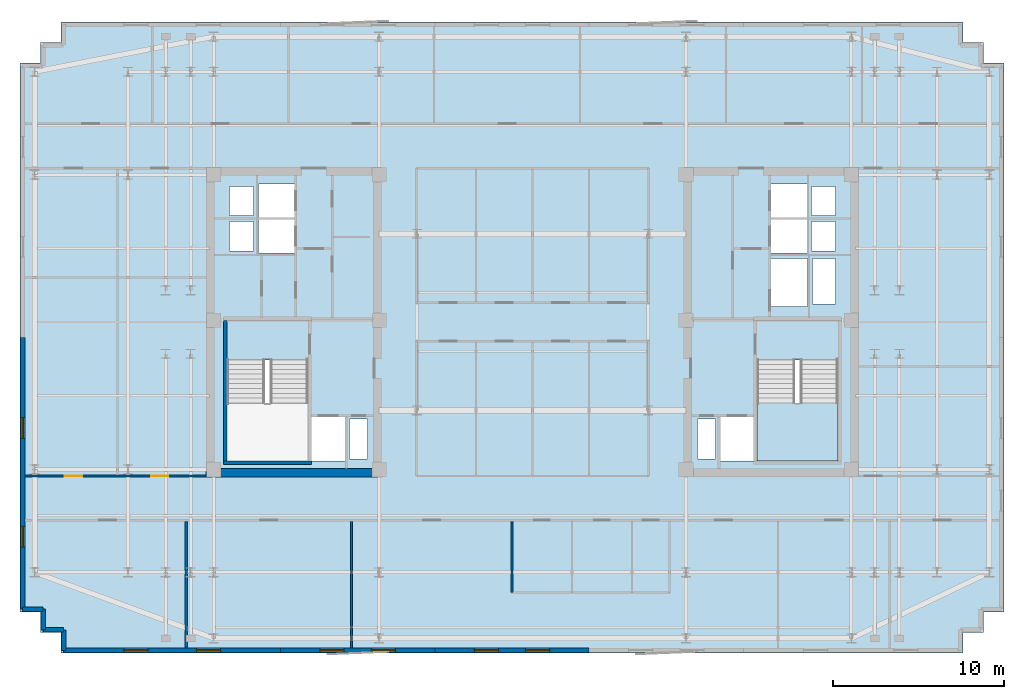
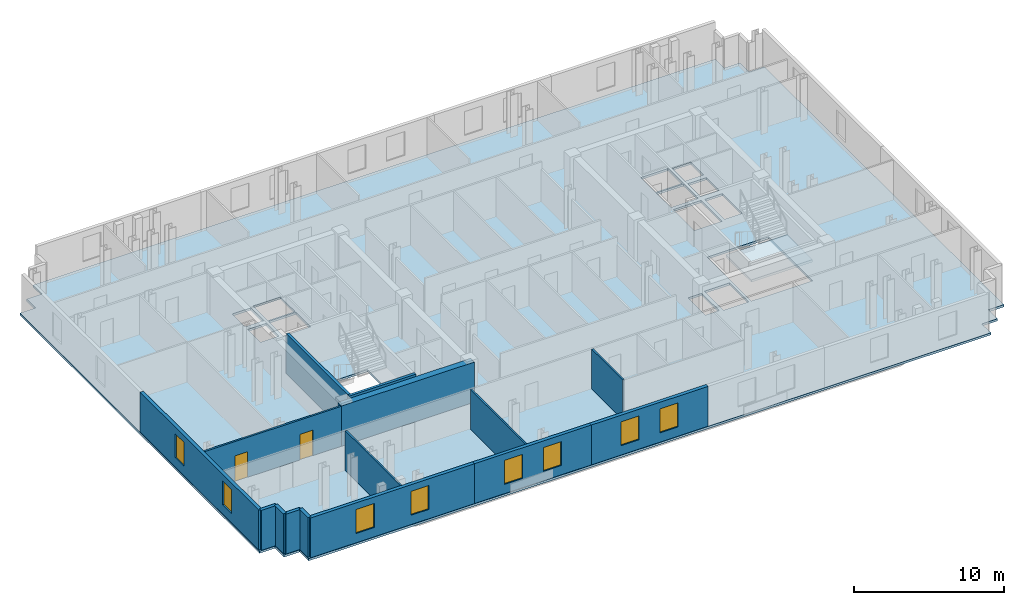
# One storey, part 3 of 9: 15 walls, 8 windows, 2 doors, 2 slabs, 10 openings, 1 element without a shape of its own.
"""IFC4 building model written with IfcOpenShell, lengths in metres."""

import ifcopenshell
import ifcopenshell.guid

model = None  # the IFC model being written
_history = None  # IfcOwnerHistory: only IFC2X3 demands one
_inside = {}  # id of a spatial element -> (the spatial element, [elements in it])
_under = {}  # id of a project, library or spatial element -> (it, [spatial elements below it])
_declared = {}  # id of a project -> (the project, [libraries it declares])
_typed = {}  # id of a type object -> (the type object, [elements of that type])
_made_of = {}  # id of a material, layer set ... -> (it, [elements and type objects made of it])


def new_model(schema):
    """Start an empty IFC model of exactly this schema.

    Asked for "IFC4X3", IfcOpenShell would pick the latest addendum, in which some entities
    have other attributes; the version numbers below select the first issue.
    IFC2X3 requires an IfcOwnerHistory on every rooted entity: one is made here for all.
    """
    global model, _history
    if schema == "IFC4X3":
        model = ifcopenshell.file(schema_version=(4, 3, 0, 0))
    else:
        model = ifcopenshell.file(schema=schema)
    _inside.clear()
    _under.clear()
    _declared.clear()
    _typed.clear()
    _made_of.clear()
    _history = None
    if model.schema == "IFC2X3":
        org = make("IfcOrganization", Name="unknown")
        user = make(
            "IfcPersonAndOrganization",
            ThePerson=make("IfcPerson", FamilyName="unknown"),
            TheOrganization=org,
        )
        app = make(
            "IfcApplication",
            ApplicationDeveloper=org,
            Version="unknown",
            ApplicationFullName="unknown",
            ApplicationIdentifier="unknown",
        )
        _history = make(
            "IfcOwnerHistory",
            OwningUser=user,
            OwningApplication=app,
            ChangeAction="ADDED",
            CreationDate=0,
        )
    return model


def make(cls, **values):
    """One entity of the class cls with the attributes given. An attribute that is None is left unset."""
    return model.create_entity(
        cls, **{name: value for name, value in values.items() if value is not None}
    )


def rooted(cls, **values):
    """An entity with a GlobalId (a new one), such as an element, a storey or a relation."""
    return make(cls, GlobalId=ifcopenshell.guid.new(), OwnerHistory=_history, **values)


def si_unit(unit_type, name, prefix=None):
    """IfcSIUnit, for example si_unit("LENGTHUNIT", "METRE", prefix="MILLI")."""
    return make("IfcSIUnit", UnitType=unit_type, Prefix=prefix, Name=name)


def assignment(units):
    """IfcUnitAssignment: the units of a project."""
    return None if units is None else make("IfcUnitAssignment", Units=units)


def point(xyz):
    """IfcCartesianPoint."""
    return None if xyz is None else make("IfcCartesianPoint", Coordinates=xyz)


def direction(xyz):
    """IfcDirection."""
    return None if xyz is None else make("IfcDirection", DirectionRatios=xyz)


def frame(location, z_axis=None, x_axis=None):
    """IfcAxis2Placement3D, a coordinate frame: its origin and axes. An axis left out is left unset."""
    return make(
        "IfcAxis2Placement3D",
        Location=point(location),
        Axis=direction(z_axis),
        RefDirection=direction(x_axis),
    )


def frame_2d(location, x_axis=None):
    """IfcAxis2Placement2D, a coordinate frame in the plane: its origin and x axis."""
    return make(
        "IfcAxis2Placement2D", Location=point(location), RefDirection=direction(x_axis)
    )


def origin():
    """The frame at (0, 0, 0) with its axes left unset."""
    return frame((0.0, 0.0, 0.0))


def place(relative_to, where):
    """IfcLocalPlacement: puts the frame where relative to a parent placement (None: the world)."""
    return make(
        "IfcLocalPlacement", PlacementRelTo=relative_to, RelativePlacement=where
    )


def context(
    kind, dimensions, precision=None, world=None, true_north=None, identifier=None
):
    """IfcGeometricRepresentationContext, for example the 3D "Model" context."""
    return make(
        "IfcGeometricRepresentationContext",
        ContextIdentifier=identifier,
        ContextType=kind,
        CoordinateSpaceDimension=dimensions,
        Precision=precision,
        WorldCoordinateSystem=world,
        TrueNorth=true_north,
    )


def subcontext(parent, identifier, kind, view, scale=None):
    """IfcGeometricRepresentationSubContext, for example "Body" below "Model"."""
    return make(
        "IfcGeometricRepresentationSubContext",
        ContextIdentifier=identifier,
        ContextType=kind,
        ParentContext=parent,
        TargetScale=scale,
        TargetView=view,
    )


def project(units=None, contexts=None):
    """IfcProject with its units and contexts."""
    return rooted(
        "IfcProject",
        Name="project",
        RepresentationContexts=contexts,
        UnitsInContext=assignment(units),
    )


def spatial(cls, under=None, at=None, **own):
    """A site, building, storey or space (cls), placed at a placement, below another one or the project."""
    s = rooted(cls, ObjectPlacement=at, **own)
    if under is not None:
        _under.setdefault(under.id(), (under, []))[1].append(s)
    return s


def polyline(points):
    """IfcPolyline through the points."""
    return make("IfcPolyline", Points=[point(p) for p in points])


def profile(cls, at=None, kind="AREA", **sizes):
    """A parametric profile (cls). Its sizes go by their IFC names, for example OverallWidth=200.0."""
    return make(cls, ProfileType=kind, Position=at, **sizes)


def rectangle(**sizes):
    """IfcRectangleProfileDef."""
    return profile("IfcRectangleProfileDef", **sizes)


def outline(outer, holes=None, kind="AREA"):
    """IfcArbitraryClosedProfileDef: a profile drawn as a closed curve; with holes, ...WithVoids."""
    if holes is None:
        return make("IfcArbitraryClosedProfileDef", ProfileType=kind, OuterCurve=outer)
    return make(
        "IfcArbitraryProfileDefWithVoids",
        ProfileType=kind,
        OuterCurve=outer,
        InnerCurves=holes,
    )


def extrude(swept, where, along, depth):
    """IfcExtrudedAreaSolid: the profile swept, set in the frame where, extruded along a direction by depth."""
    return make(
        "IfcExtrudedAreaSolid",
        SweptArea=swept,
        Position=where,
        ExtrudedDirection=direction(along),
        Depth=depth,
    )


def shape(context_of_items, identifier, shape_type, items):
    """IfcShapeRepresentation: the items that make up one representation, for example the "Body"."""
    return make(
        "IfcShapeRepresentation",
        ContextOfItems=context_of_items,
        RepresentationIdentifier=identifier,
        RepresentationType=shape_type,
        Items=items,
    )


def material(Name=None, Category=None):
    """IfcMaterial."""
    return make("IfcMaterial", Name=Name, Category=Category)


def layer(
    of_material, thickness, ventilated=None, Name=None, Category=None, Priority=None
):
    """IfcMaterialLayer: one layer of a wall or slab, of a material (None: an air gap)."""
    return make(
        "IfcMaterialLayer",
        Material=of_material,
        LayerThickness=thickness,
        IsVentilated=ventilated,
        Name=Name,
        Category=Category,
        Priority=Priority,
    )


def layer_set(layers, Name=None):
    """IfcMaterialLayerSet."""
    return make("IfcMaterialLayerSet", MaterialLayers=layers, LayerSetName=Name)


def made_of(thing, what):
    """Note that an element or type object is made of a material, layer set ...; save() writes the relation."""
    if what is not None:
        _made_of.setdefault(what.id(), (what, []))[1].append(thing)
    return thing


def type_object(cls, material=None, **own):
    """A type object (cls), such as IfcWallType, which elements share."""
    return made_of(rooted(cls, **own), material)


def element(
    cls,
    number,
    at=None,
    inside=None,
    cuts=None,
    type_object=None,
    material=None,
    context=None,
    identifier="Body",
    shape_type=None,
    held_by="IfcProductDefinitionShape",
    body=None,
    shapes=None,
    **own,
):
    """One element of the class cls, such as IfcWall. Its Tag is "e" and its number.

    at: its placement. inside: the storey or other place that contains it. cuts: it is an
    opening in that element (IfcRelVoidsElement). A single representation is given by context,
    identifier, shape_type and body (its items); several are given by shapes. held_by: the class
    of the entity that holds the representations. save() writes the other relations.
    """
    e = rooted(cls, Tag="e%d" % number, ObjectPlacement=at, **own)
    if body is not None:
        shapes = [shape(context, identifier, shape_type, body)]
    if shapes is not None:
        e.Representation = make(held_by, Representations=shapes)
    if inside is not None:
        _inside.setdefault(inside.id(), (inside, []))[1].append(e)
    if cuts is not None:
        rooted(
            "IfcRelVoidsElement", RelatingBuildingElement=cuts, RelatedOpeningElement=e
        )
    if type_object is not None:
        _typed.setdefault(type_object.id(), (type_object, []))[1].append(e)
    return made_of(e, material)


def fill(opening, filler):
    """IfcRelFillsElement: the door or window that sits in an opening."""
    return rooted(
        "IfcRelFillsElement",
        RelatingOpeningElement=opening,
        RelatedBuildingElement=filler,
    )


def aggregate(whole, parts):
    """IfcRelAggregates: a whole, such as a stair, and the parts it consists of."""
    return rooted("IfcRelAggregates", RelatingObject=whole, RelatedObjects=parts)


def save(model, path):
    """Write the relations noted so far, then the file.

    IfcRelAggregates (storeys below a building ...), IfcRelContainedInSpatialStructure (elements
    in a storey), IfcRelDefinesByType, IfcRelAssociatesMaterial and IfcRelDeclares: one each for
    every whole, place, type object, material and project.
    """
    for whole, parts in _under.values():
        aggregate(whole, parts)
    for where, things in _inside.values():
        rooted(
            "IfcRelContainedInSpatialStructure",
            RelatedElements=things,
            RelatingStructure=where,
        )
    for kind, things in _typed.values():
        rooted("IfcRelDefinesByType", RelatedObjects=things, RelatingType=kind)
    for what, things in _made_of.values():
        rooted("IfcRelAssociatesMaterial", RelatedObjects=things, RelatingMaterial=what)
    for by, libraries in _declared.values():
        rooted("IfcRelDeclares", RelatingContext=by, RelatedDefinitions=libraries)
    model.write(path)


model = new_model("IFC4")

# Units and contexts
model_context = context("Model", 3, precision=1e-05, world=origin(), true_north=direction((0.0, 1.0)))
body_context = subcontext(model_context, "Body", "Model", "MODEL_VIEW")
ifc_project = project(units=[si_unit("LENGTHUNIT", "METRE"), si_unit("AREAUNIT", "SQUARE_METRE"), si_unit("VOLUMEUNIT", "CUBIC_METRE"), si_unit("PLANEANGLEUNIT", "RADIAN"), si_unit("MASSUNIT", "GRAM", prefix="KILO")], contexts=[model_context])

# Site, building, storey
site_placement = place(None, origin())
site = spatial("IfcSite", under=ifc_project, at=site_placement, CompositionType="ELEMENT")
building_placement = place(site_placement, origin())
building = spatial("IfcBuilding", under=site, at=building_placement, Name="Velakula Bourse", CompositionType="ELEMENT")
storey_placement = place(building_placement, frame((0.0, 0.0, 236.10009765625)))
storey = spatial("IfcBuildingStorey", under=building, at=storey_placement, Name="L64", CompositionType="ELEMENT", Elevation=236.10009765625)

# Stair, slab
ifc_material_1 = material(Name="Concrete M45 (fck 45 MPa)", Category="concrete")
stair_type = type_object("IfcStairType", Name="STR-DOG-390", PredefinedType="HALF_TURN_STAIR", material=ifc_material_1)
stair_placement = place(storey_placement, origin())
stair = element("IfcStair", 1, at=stair_placement, inside=storey, type_object=stair_type, Name="L64 East Core Exit Stair ST-E1", PredefinedType="HALF_TURN_STAIR")
ifc_layer_1 = layer(ifc_material_1, 0.199951171875, Name="Concrete M45 (fck 45 MPa)", Category="concrete")
ifc_layer_set_1 = layer_set([ifc_layer_1], Name="Concrete M45 (fck 45 MPa)")
slab_type_1 = type_object("IfcSlabType", Name="SLB-STAIR-LND-200", PredefinedType="LANDING", material=ifc_layer_set_1)
slab_1_placement = place(storey_placement, frame((0.0, 0.0, 1.52490234375)))
slab_1 = element("IfcSlab", 2, at=slab_1_placement, type_object=slab_type_1, Name="ST-E1 landing 1", PredefinedType="LANDING", context=body_context, shape_type="SweptSolid", body=[
    extrude(outline(polyline([(13.10009765625, -4.719970703125), (13.10009765625, -8.10009765625), (17.820068359375, -8.10009765625), (17.820068359375, -4.719970703125), (13.10009765625, -4.719970703125)])), origin(), (0.0, 0.0, 1.0), 0.199951171875),
])
aggregate(stair, [slab_1])

# Slab
ifc_material_2 = material(Name="Concrete M50 (fck 50 MPa)", Category="concrete")
ifc_layer_2 = layer(ifc_material_2, 0.179931640625, Name="Concrete M50 (fck 50 MPa)", Category="concrete")
ifc_layer_set_2 = layer_set([ifc_layer_2], Name="Concrete M50 (fck 50 MPa)")
slab_type_2 = type_object("IfcSlabType", Name="SLB-TWR-180", PredefinedType="FLOOR", material=ifc_layer_set_2)
slab_2_placement = place(storey_placement, frame((0.0, 0.0, -0.18017578125)))
element("IfcSlab", 3, at=slab_2_placement, inside=storey, type_object=slab_type_2, Name="L64 Suspended Structural Floor Slab", PredefinedType="FLOOR", context=body_context, shape_type="SweptSolid", body=[
    extrude(outline(polyline([(-27.5, -19.300048828125), (25.10009765625, -19.300048828125), (25.10009765625, -18.10009765625), (26.300048828125, -18.10009765625), (26.300048828125, -16.89990234375), (27.5, -16.89990234375), (27.5, 15.10009765625), (26.300048828125, 15.10009765625), (26.300048828125, 16.300048828125), (25.10009765625, 16.300048828125), (25.10009765625, 17.5), (-27.5, 17.5), (-27.5, 16.300048828125), (-28.699951171875, 16.300048828125), (-28.699951171875, 15.10009765625), (-29.89990234375, 15.10009765625), (-29.89990234375, -16.89990234375), (-28.699951171875, -16.89990234375), (-28.699951171875, -18.10009765625), (-27.5, -18.10009765625), (-27.5, -19.300048828125)]), holes=[polyline([(-17.820068359375, -8.10009765625), (-13.10009765625, -8.10009765625), (-13.10009765625, -2.199951171875), (-17.820068359375, -2.199951171875), (-17.820068359375, -8.10009765625)]), polyline([(13.10009765625, -8.10009765625), (17.820068359375, -8.10009765625), (17.820068359375, -2.199951171875), (13.10009765625, -2.199951171875), (13.10009765625, -8.10009765625)]), polyline([(-12.89990234375, -8.10009765625), (-10.949951171875, -8.10009765625), (-10.949951171875, -5.550048828125), (-12.89990234375, -5.550048828125), (-12.89990234375, -8.10009765625)]), polyline([(10.949951171875, -8.10009765625), (12.89990234375, -8.10009765625), (12.89990234375, -5.550048828125), (10.949951171875, -5.550048828125), (10.949951171875, -8.10009765625)]), polyline([(13.89990234375, 0.919921875), (16.050048828125, 0.919921875), (16.050048828125, 3.719970703125), (13.89990234375, 3.719970703125), (13.89990234375, 0.919921875)]), polyline([(-10.679931640625, -7.97998046875), (-9.6201171875, -7.97998046875), (-9.6201171875, -5.669921875), (-10.679931640625, -5.669921875), (-10.679931640625, -7.97998046875)]), polyline([(-17.679931640625, 4.139892578125), (-16.27001953125, 4.139892578125), (-16.27001953125, 5.85009765625), (-17.679931640625, 5.85009765625), (-17.679931640625, 4.139892578125)]), polyline([(-17.679931640625, 6.2099609375), (-16.27001953125, 6.2099609375), (-16.27001953125, 7.919921875), (-17.679931640625, 7.919921875), (-17.679931640625, 6.2099609375)]), polyline([(9.6201171875, -7.97998046875), (10.679931640625, -7.97998046875), (10.679931640625, -5.669921875), (9.6201171875, -5.669921875), (9.6201171875, -7.97998046875)]), polyline([(16.27001953125, 4.139892578125), (17.679931640625, 4.139892578125), (17.679931640625, 5.85009765625), (16.27001953125, 5.85009765625), (16.27001953125, 4.139892578125)]), polyline([(16.27001953125, 6.2099609375), (17.679931640625, 6.2099609375), (17.679931640625, 7.919921875), (16.27001953125, 7.919921875), (16.27001953125, 6.2099609375)]), polyline([(16.320068359375, 1.0400390625), (17.679931640625, 1.0400390625), (17.679931640625, 3.699951171875), (16.320068359375, 3.699951171875), (16.320068359375, 1.0400390625)]), polyline([(-16.0, 4.02001953125), (-13.89990234375, 4.02001953125), (-13.89990234375, 5.969970703125), (-16.0, 5.969970703125), (-16.0, 4.02001953125)]), polyline([(-16.0, 6.090087890625), (-13.89990234375, 6.090087890625), (-13.89990234375, 8.0400390625), (-16.0, 8.0400390625), (-16.0, 6.090087890625)]), polyline([(13.89990234375, 4.02001953125), (16.0, 4.02001953125), (16.0, 5.969970703125), (13.89990234375, 5.969970703125), (13.89990234375, 4.02001953125)]), polyline([(13.89990234375, 6.090087890625), (16.0, 6.090087890625), (16.0, 8.0400390625), (13.89990234375, 8.0400390625), (13.89990234375, 6.090087890625)])]), origin(), (0.0, 0.0, 1.0), 0.18017578125),
])

# Walls
ifc_layer_3 = layer(ifc_material_2, 0.2099609375, Name="Concrete M50 (fck 50 MPa)", Category="concrete")
ifc_layer_set_3 = layer_set([ifc_layer_3], Name="Concrete M50 (fck 50 MPa)")
wall_type_1 = type_object("IfcWallType", Name="WL-CORE-210", PredefinedType="SHEAR", material=ifc_layer_set_3)
wall_1_placement = place(storey_placement, frame((-17.925048828125, -8.10009765625, 0.0), z_axis=(0.0, 0.0, 1.0), x_axis=(0.0, 1.0, 0.0)))
element("IfcWall", 4, at=wall_1_placement, inside=storey, type_object=wall_type_1, Name="L64 Core W Stairwell Shear Wall OUT", PredefinedType="SHEAR", context=body_context, shape_type="SweptSolid", body=[
    extrude(rectangle(XDim=8.2001953125, YDim=0.2099609375, at=frame_2d((4.10009765625, 0.0))), origin(), (0.0, 0.0, 1.0), 3.27001953125),
])
wall_2_placement = place(storey_placement, frame((-18.030029296875, -8.205078125, 0.0), z_axis=(0.0, 0.0, 1.0), x_axis=(1.0, 0.0, 0.0)))
element("IfcWall", 5, at=wall_2_placement, inside=storey, type_object=wall_type_1, Name="L64 Core W Stairwell Shear Wall S", PredefinedType="SHEAR", context=body_context, shape_type="SweptSolid", body=[
    extrude(rectangle(XDim=5.14013671875, YDim=0.2099609375, at=frame_2d((2.570068359375, 0.0))), origin(), (0.0, 0.0, 1.0), 3.27001953125),
])
ifc_layer_4 = layer(ifc_material_2, 0.5, Name="Concrete M50 (fck 50 MPa)", Category="concrete")
ifc_layer_set_4 = layer_set([ifc_layer_4], Name="Concrete M50 (fck 50 MPa)")
wall_type_2 = type_object("IfcWallType", Name="WL-CORE-500", PredefinedType="SHEAR", material=ifc_layer_set_4)
wall_3_placement = place(storey_placement, frame((-19.050048828125, -8.800048828125, 0.0), z_axis=(0.0, 0.0, 1.0), x_axis=(1.0, 0.0, 0.0)))
element("IfcWall", 6, at=wall_3_placement, inside=storey, type_object=wall_type_2, Name="L64 Core W Shear Wall S", PredefinedType="SHEAR", context=body_context, shape_type="SweptSolid", body=[
    extrude(rectangle(XDim=10.25, YDim=0.5, at=frame_2d((5.125, 0.0))), origin(), (0.0, 0.0, 1.0), 3.27001953125),
])

# Wall, openings, windows
ifc_material_3 = material(Name="Buff kilned clay facing brick masonry", Category="masonry")
ifc_layer_5 = layer(ifc_material_3, 0.260009765625, Name="Buff kilned clay facing brick masonry", Category="masonry")
ifc_layer_set_5 = layer_set([ifc_layer_5], Name="Buff kilned clay facing brick masonry")
wall_type_3 = type_object("IfcWallType", Name="WL-EXT-BRK-260", PredefinedType="STANDARD", material=ifc_layer_set_5)
wall_4_placement = place(storey_placement, frame((-14.699951171875, -19.14990234375, 0.0), z_axis=(0.0, 0.0, 1.0), x_axis=(-1.0, 0.0, 0.0)))
wall_4 = element("IfcWall", 7, at=wall_4_placement, inside=storey, type_object=wall_type_3, Name="L64 S Brick Spandrel Wall B1", PredefinedType="STANDARD", context=body_context, shape_type="SweptSolid", body=[
    extrude(rectangle(XDim=12.650146484375, YDim=0.260009765625, at=frame_2d((6.3251953125, 0.0))), origin(), (0.0, 0.0, 1.0), 3.25),
])
opening_1_placement = place(wall_4_placement, frame((3.5166015625, 0.0, 0.760009765625)))
opening_1 = element("IfcOpeningElement", 8, at=opening_1_placement, cuts=wall_4, Name="Opening W-03", PredefinedType="OPENING", context=body_context, shape_type="SweptSolid", body=[
    extrude(rectangle(XDim=1.39990234375, YDim=1.949951171875, at=frame_2d((0.699951171875, 0.97509765625))), frame((0.0, 0.139892578125, 0.0), z_axis=(0.0, -1.0, 0.0), x_axis=(1.0, 0.0, 0.0)), (0.0, 0.0, 1.0), 0.280029296875),
])
opening_2_placement = place(wall_4_placement, frame((7.7333984375, 0.0, 0.760009765625)))
opening_2 = element("IfcOpeningElement", 9, at=opening_2_placement, cuts=wall_4, Name="Opening W-03", PredefinedType="OPENING", context=body_context, shape_type="SweptSolid", body=[
    extrude(rectangle(XDim=1.39990234375, YDim=1.949951171875, at=frame_2d((0.699951171875, 0.97509765625))), frame((0.0, 0.139892578125, 0.0), z_axis=(0.0, -1.0, 0.0), x_axis=(1.0, 0.0, 0.0)), (0.0, 0.0, 1.0), 0.280029296875),
])
ifc_material_4 = material(Name="Double-glazed solar-control Low-E glass", Category="glass")
window_type_1 = type_object("IfcWindowType", Name="WIN-TWR-1400x2100", PartitioningType="SINGLE_PANEL", PredefinedType="WINDOW", material=ifc_material_4)
window_1_placement = place(opening_1_placement, origin())
window_1 = element("IfcWindow", 10, at=window_1_placement, inside=storey, type_object=window_type_1, Name="L64 Deep-Set Recessed Window 1", OverallHeight=1.949951171875, OverallWidth=1.39990234375, PartitioningType="SINGLE_PANEL", PredefinedType="WINDOW", context=body_context, shape_type="SweptSolid", body=[
    extrude(rectangle(XDim=1.39990234375, YDim=1.949951171875, at=frame_2d((0.699951171875, 0.97509765625))), frame((0.0, 0.030029296875, 0.0), z_axis=(0.0, -1.0, 0.0), x_axis=(1.0, 0.0, 0.0)), (0.0, 0.0, 1.0), 0.06005859375),
])
fill(opening_1, window_1)
window_2_placement = place(opening_2_placement, origin())
window_2 = element("IfcWindow", 11, at=window_2_placement, inside=storey, type_object=window_type_1, Name="L64 Deep-Set Recessed Window 2", OverallHeight=1.949951171875, OverallWidth=1.39990234375, PartitioningType="SINGLE_PANEL", PredefinedType="WINDOW", context=body_context, shape_type="SweptSolid", body=[
    extrude(rectangle(XDim=1.39990234375, YDim=1.949951171875, at=frame_2d((0.699951171875, 0.97509765625))), frame((0.0, 0.030029296875, 0.0), z_axis=(0.0, -1.0, 0.0), x_axis=(1.0, 0.0, 0.0)), (0.0, 0.0, 1.0), 0.06005859375),
])
fill(opening_2, window_2)

wall_5_placement = place(storey_placement, frame((-5.699951171875, -19.14990234375, 0.0), z_axis=(0.0, 0.0, 1.0), x_axis=(-1.0, 0.0, 0.0)))
wall_5 = element("IfcWall", 12, at=wall_5_placement, inside=storey, type_object=wall_type_3, Name="L64 S Brick Spandrel Wall B2", PredefinedType="STANDARD", context=body_context, shape_type="SweptSolid", body=[
    extrude(rectangle(XDim=9.0, YDim=0.260009765625, at=frame_2d((4.5, 0.0))), origin(), (0.0, 0.0, 1.0), 3.25),
])
opening_3_placement = place(wall_5_placement, frame((2.300048828125, 0.0, 0.760009765625)))
opening_3 = element("IfcOpeningElement", 13, at=opening_3_placement, cuts=wall_5, Name="Opening W-03", PredefinedType="OPENING", context=body_context, shape_type="SweptSolid", body=[
    extrude(rectangle(XDim=1.39990234375, YDim=1.949951171875, at=frame_2d((0.699951171875, 0.97509765625))), frame((0.0, 0.139892578125, 0.0), z_axis=(0.0, -1.0, 0.0), x_axis=(1.0, 0.0, 0.0)), (0.0, 0.0, 1.0), 0.280029296875),
])
opening_4_placement = place(wall_5_placement, frame((5.300048828125, 0.0, 0.760009765625)))
opening_4 = element("IfcOpeningElement", 14, at=opening_4_placement, cuts=wall_5, Name="Opening W-03", PredefinedType="OPENING", context=body_context, shape_type="SweptSolid", body=[
    extrude(rectangle(XDim=1.39990234375, YDim=1.949951171875, at=frame_2d((0.699951171875, 0.97509765625))), frame((0.0, 0.139892578125, 0.0), z_axis=(0.0, -1.0, 0.0), x_axis=(1.0, 0.0, 0.0)), (0.0, 0.0, 1.0), 0.280029296875),
])
window_3_placement = place(opening_3_placement, origin())
window_3 = element("IfcWindow", 15, at=window_3_placement, inside=storey, type_object=window_type_1, Name="L64 Deep-Set Recessed Window 1", OverallHeight=1.949951171875, OverallWidth=1.39990234375, PartitioningType="SINGLE_PANEL", PredefinedType="WINDOW", context=body_context, shape_type="SweptSolid", body=[
    extrude(rectangle(XDim=1.39990234375, YDim=1.949951171875, at=frame_2d((0.699951171875, 0.97509765625))), frame((0.0, 0.030029296875, 0.0), z_axis=(0.0, -1.0, 0.0), x_axis=(1.0, 0.0, 0.0)), (0.0, 0.0, 1.0), 0.06005859375),
])
fill(opening_3, window_3)
window_4_placement = place(opening_4_placement, origin())
window_4 = element("IfcWindow", 16, at=window_4_placement, inside=storey, type_object=window_type_1, Name="L64 Deep-Set Recessed Window 2", OverallHeight=1.949951171875, OverallWidth=1.39990234375, PartitioningType="SINGLE_PANEL", PredefinedType="WINDOW", context=body_context, shape_type="SweptSolid", body=[
    extrude(rectangle(XDim=1.39990234375, YDim=1.949951171875, at=frame_2d((0.699951171875, 0.97509765625))), frame((0.0, 0.030029296875, 0.0), z_axis=(0.0, -1.0, 0.0), x_axis=(1.0, 0.0, 0.0)), (0.0, 0.0, 1.0), 0.06005859375),
])
fill(opening_4, window_4)

wall_6_placement = place(storey_placement, frame((3.300048828125, -19.14990234375, 0.0), z_axis=(0.0, 0.0, 1.0), x_axis=(-1.0, 0.0, 0.0)))
wall_6 = element("IfcWall", 17, at=wall_6_placement, inside=storey, type_object=wall_type_3, Name="L64 S Brick Spandrel Wall B3", PredefinedType="STANDARD", context=body_context, shape_type="SweptSolid", body=[
    extrude(rectangle(XDim=9.0, YDim=0.260009765625, at=frame_2d((4.5, 0.0))), origin(), (0.0, 0.0, 1.0), 3.25),
])
opening_5_placement = place(wall_6_placement, frame((2.300048828125, 0.0, 0.760009765625)))
opening_5 = element("IfcOpeningElement", 18, at=opening_5_placement, cuts=wall_6, Name="Opening W-03", PredefinedType="OPENING", context=body_context, shape_type="SweptSolid", body=[
    extrude(rectangle(XDim=1.39990234375, YDim=1.949951171875, at=frame_2d((0.699951171875, 0.97509765625))), frame((0.0, 0.139892578125, 0.0), z_axis=(0.0, -1.0, 0.0), x_axis=(1.0, 0.0, 0.0)), (0.0, 0.0, 1.0), 0.280029296875),
])
opening_6_placement = place(wall_6_placement, frame((5.300048828125, 0.0, 0.760009765625)))
opening_6 = element("IfcOpeningElement", 19, at=opening_6_placement, cuts=wall_6, Name="Opening W-03", PredefinedType="OPENING", context=body_context, shape_type="SweptSolid", body=[
    extrude(rectangle(XDim=1.39990234375, YDim=1.949951171875, at=frame_2d((0.699951171875, 0.97509765625))), frame((0.0, 0.139892578125, 0.0), z_axis=(0.0, -1.0, 0.0), x_axis=(1.0, 0.0, 0.0)), (0.0, 0.0, 1.0), 0.280029296875),
])
window_5_placement = place(opening_5_placement, origin())
window_5 = element("IfcWindow", 20, at=window_5_placement, inside=storey, type_object=window_type_1, Name="L64 Deep-Set Recessed Window 1", OverallHeight=1.949951171875, OverallWidth=1.39990234375, PartitioningType="SINGLE_PANEL", PredefinedType="WINDOW", context=body_context, shape_type="SweptSolid", body=[
    extrude(rectangle(XDim=1.39990234375, YDim=1.949951171875, at=frame_2d((0.699951171875, 0.97509765625))), frame((0.0, 0.030029296875, 0.0), z_axis=(0.0, -1.0, 0.0), x_axis=(1.0, 0.0, 0.0)), (0.0, 0.0, 1.0), 0.06005859375),
])
fill(opening_5, window_5)
window_6_placement = place(opening_6_placement, origin())
window_6 = element("IfcWindow", 21, at=window_6_placement, inside=storey, type_object=window_type_1, Name="L64 Deep-Set Recessed Window 2", OverallHeight=1.949951171875, OverallWidth=1.39990234375, PartitioningType="SINGLE_PANEL", PredefinedType="WINDOW", context=body_context, shape_type="SweptSolid", body=[
    extrude(rectangle(XDim=1.39990234375, YDim=1.949951171875, at=frame_2d((0.699951171875, 0.97509765625))), frame((0.0, 0.030029296875, 0.0), z_axis=(0.0, -1.0, 0.0), x_axis=(1.0, 0.0, 0.0)), (0.0, 0.0, 1.0), 0.06005859375),
])
fill(opening_6, window_6)

wall_7_placement = place(storey_placement, frame((-29.75, -16.75, 0.0), z_axis=(0.0, 0.0, 1.0), x_axis=(0.0, 1.0, 0.0)))
wall_7 = element("IfcWall", 22, at=wall_7_placement, inside=storey, type_object=wall_type_3, Name="L64 W Brick End Wall W1", PredefinedType="STANDARD", context=body_context, shape_type="SweptSolid", body=[
    extrude(rectangle(XDim=15.85009765625, YDim=0.260009765625, at=frame_2d((7.925048828125, 0.0))), origin(), (0.0, 0.0, 1.0), 3.25),
])
opening_7_placement = place(wall_7_placement, frame((3.63330078125, 0.0, 0.760009765625)))
opening_7 = element("IfcOpeningElement", 23, at=opening_7_placement, cuts=wall_7, Name="Opening W-04", PredefinedType="OPENING", context=body_context, shape_type="SweptSolid", body=[
    extrude(rectangle(XDim=1.199951171875, YDim=1.949951171875, at=frame_2d((0.60009765625, 0.97509765625))), frame((0.0, 0.139892578125, 0.0), z_axis=(0.0, -1.0, 0.0), x_axis=(1.0, 0.0, 0.0)), (0.0, 0.0, 1.0), 0.280029296875),
])
opening_8_placement = place(wall_7_placement, frame((9.966796875, 0.0, 0.760009765625)))
opening_8 = element("IfcOpeningElement", 24, at=opening_8_placement, cuts=wall_7, Name="Opening W-04", PredefinedType="OPENING", context=body_context, shape_type="SweptSolid", body=[
    extrude(rectangle(XDim=1.199951171875, YDim=1.949951171875, at=frame_2d((0.60009765625, 0.97509765625))), frame((0.0, 0.139892578125, 0.0), z_axis=(0.0, -1.0, 0.0), x_axis=(1.0, 0.0, 0.0)), (0.0, 0.0, 1.0), 0.280029296875),
])
window_type_2 = type_object("IfcWindowType", Name="WIN-TWR-1200x2100", PartitioningType="SINGLE_PANEL", PredefinedType="WINDOW", material=ifc_material_4)
window_7_placement = place(opening_7_placement, origin())
window_7 = element("IfcWindow", 25, at=window_7_placement, inside=storey, type_object=window_type_2, Name="L64 Deep-Set Recessed Window 1", OverallHeight=1.949951171875, OverallWidth=1.199951171875, PartitioningType="SINGLE_PANEL", PredefinedType="WINDOW", context=body_context, shape_type="SweptSolid", body=[
    extrude(rectangle(XDim=1.199951171875, YDim=1.949951171875, at=frame_2d((0.60009765625, 0.97509765625))), frame((0.0, 0.030029296875, 0.0), z_axis=(0.0, -1.0, 0.0), x_axis=(1.0, 0.0, 0.0)), (0.0, 0.0, 1.0), 0.06005859375),
])
fill(opening_7, window_7)
window_8_placement = place(opening_8_placement, origin())
window_8 = element("IfcWindow", 26, at=window_8_placement, inside=storey, type_object=window_type_2, Name="L64 Deep-Set Recessed Window 2", OverallHeight=1.949951171875, OverallWidth=1.199951171875, PartitioningType="SINGLE_PANEL", PredefinedType="WINDOW", context=body_context, shape_type="SweptSolid", body=[
    extrude(rectangle(XDim=1.199951171875, YDim=1.949951171875, at=frame_2d((0.60009765625, 0.97509765625))), frame((0.0, 0.030029296875, 0.0), z_axis=(0.0, -1.0, 0.0), x_axis=(1.0, 0.0, 0.0)), (0.0, 0.0, 1.0), 0.06005859375),
])
fill(opening_8, window_8)

# Walls
for number, where, z_axis, x_axis, name in (
    (27, (-29.75, -16.75, 0.0), (0.0, 0.0, 1.0), (1.0, 0.0, 0.0), "L64 Serrated Corner Brick Wall SW-1"),
    (28, (-28.550048828125, -16.75, 0.0), (0.0, 0.0, 1.0), (0.0, -1.0, 0.0), "L64 Serrated Corner Brick Wall SW-2"),
    (29, (-28.550048828125, -17.949951171875, 0.0), (0.0, 0.0, 1.0), (1.0, 0.0, 0.0), "L64 Serrated Corner Brick Wall SW-3"),
    (30, (-27.35009765625, -17.949951171875, 0.0), (0.0, 0.0, 1.0), (0.0, -1.0, 0.0), "L64 Serrated Corner Brick Wall SW-4"),
):
    element("IfcWall", number, at=place(storey_placement, frame(where, z_axis=z_axis, x_axis=x_axis)), inside=storey, type_object=wall_type_3, Name=name, PredefinedType="STANDARD", context=body_context, shape_type="SweptSolid", body=[
        extrude(rectangle(XDim=1.199951171875, YDim=0.260009765625, at=frame_2d((0.60009765625, 0.0))), origin(), (0.0, 0.0, 1.0), 3.25),
    ])
ifc_material_5 = material(Name="Fire-rated double-layer gypsum drywall partition", Category="gypsum")
ifc_layer_6 = layer(ifc_material_5, 0.1201171875, Name="Fire-rated double-layer gypsum drywall partition", Category="gypsum")
ifc_layer_set_6 = layer_set([ifc_layer_6], Name="Fire-rated double-layer gypsum drywall partition")
wall_type_4 = type_object("IfcWallType", Name="WL-PART-120", PredefinedType="STANDARD", material=ifc_layer_set_6)
wall_8_placement = place(storey_placement, frame((-1.199951171875, -15.77001953125, 0.0), z_axis=(0.0, 0.0, 1.0), x_axis=(0.0, 1.0, 0.0)))
element("IfcWall", 31, at=wall_8_placement, inside=storey, type_object=wall_type_4, Name="L64 Interior Partition WL-WC-L64-V1", PredefinedType="STANDARD", context=body_context, shape_type="SweptSolid", body=[
    extrude(rectangle(XDim=4.130126953125, YDim=0.1201171875, at=frame_2d((2.06494140625, 0.0))), origin(), (0.0, 0.0, 1.0), 3.25),
])
for number, where, z_axis, x_axis, name in (
    (32, (-20.200927734375, -19.02001953125, 0.0), (0.0, 0.0, 1.0), (0.0, 1.0, 0.0), "L64 Interior Partition WL-INT-L64-SL-D5"),
    (33, (-10.55908203125, -19.02001953125, 0.0), (0.0, 0.0, 1.0), (0.0, 1.0, 0.0), "L64 Interior Partition WL-INT-L64-SL-D6"),
):
    element("IfcWall", number, at=place(storey_placement, frame(where, z_axis=z_axis, x_axis=x_axis)), inside=storey, type_object=wall_type_4, Name=name, PredefinedType="STANDARD", context=body_context, shape_type="SweptSolid", body=[
        extrude(rectangle(XDim=7.380126953125, YDim=0.1201171875, at=frame_2d((3.68994140625, 0.0))), origin(), (0.0, 0.0, 1.0), 3.25),
    ])

# Wall, openings, doors
ifc_layer_7 = layer(ifc_material_5, 0.139892578125, Name="Fire-rated double-layer gypsum drywall partition", Category="gypsum")
ifc_layer_set_7 = layer_set([ifc_layer_7], Name="Fire-rated double-layer gypsum drywall partition")
wall_type_5 = type_object("IfcWallType", Name="WL-PART-140", PredefinedType="STANDARD", material=ifc_layer_set_7)
wall_9_placement = place(storey_placement, frame((-29.6201171875, -8.97998046875, 0.0), z_axis=(0.0, 0.0, 1.0), x_axis=(1.0, 0.0, 0.0)))
wall_9 = element("IfcWall", 34, at=wall_9_placement, inside=storey, type_object=wall_type_5, Name="L64 Interior Partition WL-INT-L64-W-SC", PredefinedType="STANDARD", context=body_context, shape_type="SweptSolid", body=[
    extrude(rectangle(XDim=10.570068359375, YDim=0.139892578125, at=frame_2d((5.28515625, 0.0))), origin(), (0.0, 0.0, 1.0), 3.25),
])
opening_9_placement = place(wall_9_placement, frame((2.33740234375, 0.0, 0.0)))
opening_9 = element("IfcOpeningElement", 35, at=opening_9_placement, cuts=wall_9, Name="Opening D-OF1", PredefinedType="OPENING", context=body_context, shape_type="SweptSolid", body=[
    extrude(rectangle(XDim=1.0, YDim=2.080078125, at=frame_2d((0.5, 1.0400390625))), frame((0.0, 0.079833984375, 0.0), z_axis=(0.0, -1.0, 0.0), x_axis=(1.0, 0.0, 0.0)), (0.0, 0.0, 1.0), 0.159912109375),
])
opening_10_placement = place(wall_9_placement, frame((7.362548828125, 0.0, 0.0)))
opening_10 = element("IfcOpeningElement", 36, at=opening_10_placement, cuts=wall_9, Name="Opening D-OF1", PredefinedType="OPENING", context=body_context, shape_type="SweptSolid", body=[
    extrude(rectangle(XDim=1.0, YDim=2.080078125, at=frame_2d((0.5, 1.0400390625))), frame((0.0, 0.079833984375, 0.0), z_axis=(0.0, -1.0, 0.0), x_axis=(1.0, 0.0, 0.0)), (0.0, 0.0, 1.0), 0.159912109375),
])
ifc_material_6 = material(Name="Fire-rated hardwood flush architectural door", Category="wood")
door_type = type_object("IfcDoorType", Name="DR-OFF-1000", OperationType="NOTDEFINED", PredefinedType="DOOR", material=ifc_material_6)
door_1_placement = place(opening_9_placement, origin())
door_1 = element("IfcDoor", 37, at=door_1_placement, inside=storey, type_object=door_type, Name="L64 Issuer Relations Office Door", OperationType="SINGLE_SWING_LEFT", OverallHeight=2.080078125, OverallWidth=1.0, PredefinedType="DOOR", context=body_context, shape_type="SweptSolid", body=[
    extrude(rectangle(XDim=1.0, YDim=2.080078125, at=frame_2d((0.5, 1.0400390625))), frame((0.0, 0.02490234375, 0.0), z_axis=(0.0, -1.0, 0.0), x_axis=(1.0, 0.0, 0.0)), (0.0, 0.0, 1.0), 0.050048828125),
])
fill(opening_9, door_1)
door_2_placement = place(opening_10_placement, origin())
door_2 = element("IfcDoor", 38, at=door_2_placement, inside=storey, type_object=door_type, Name="L64 Arbitration Conference Room Door", OperationType="SINGLE_SWING_RIGHT", OverallHeight=2.080078125, OverallWidth=1.0, PredefinedType="DOOR", context=body_context, shape_type="SweptSolid", body=[
    extrude(rectangle(XDim=1.0, YDim=2.080078125, at=frame_2d((0.5, 1.0400390625))), frame((0.0, 0.02490234375, 0.0), z_axis=(0.0, -1.0, 0.0), x_axis=(1.0, 0.0, 0.0)), (0.0, 0.0, 1.0), 0.050048828125),
])
fill(opening_10, door_2)

save(model, "model.ifc")
